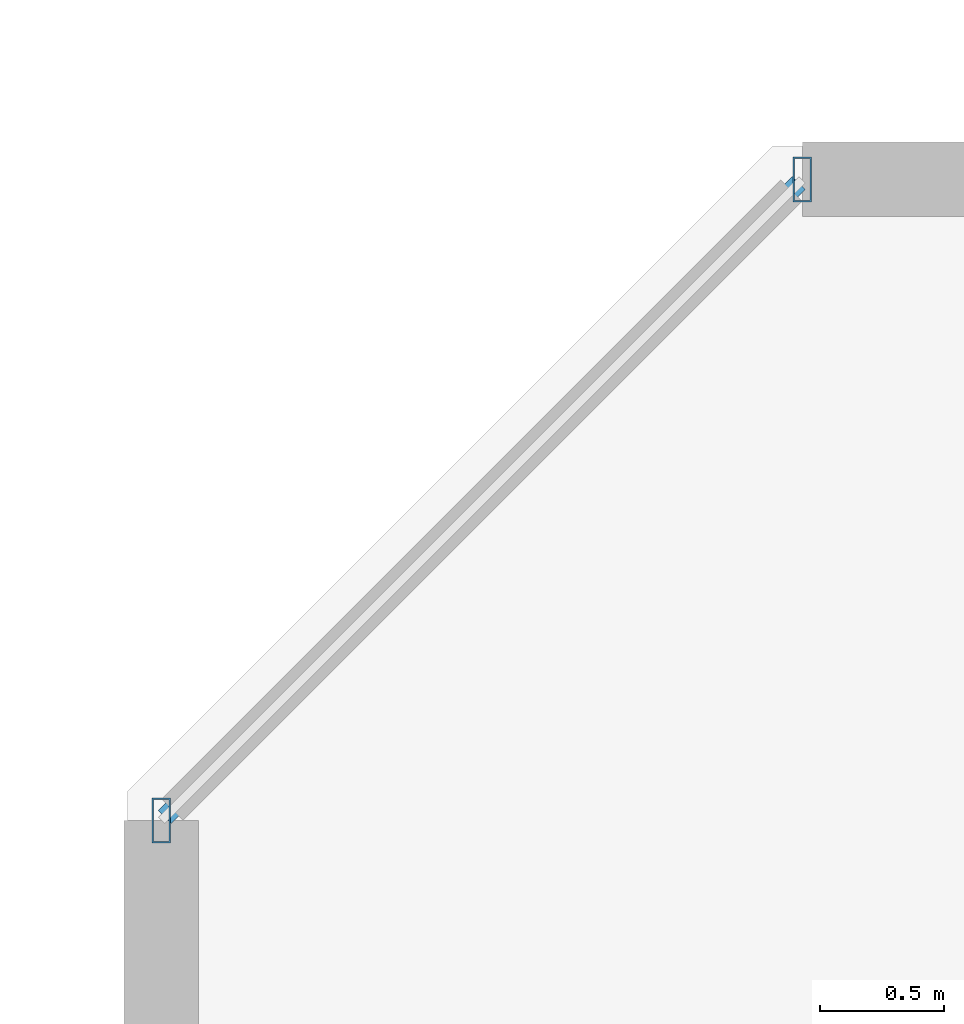
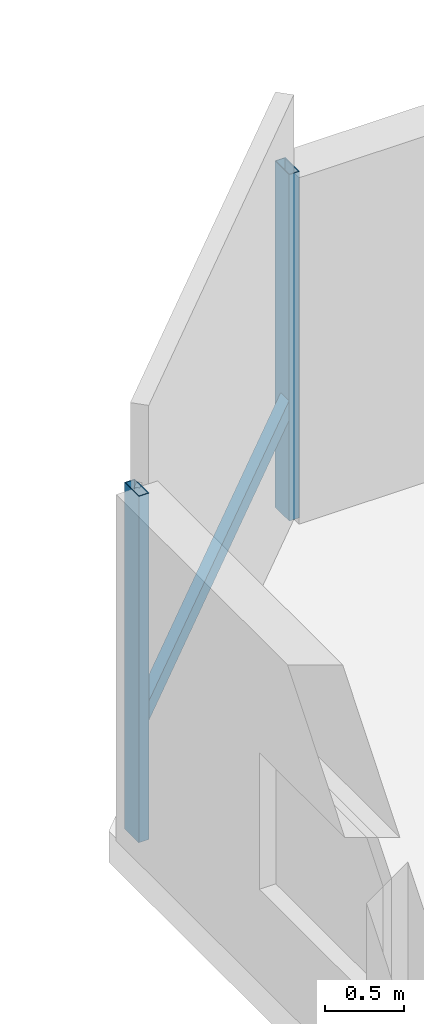
# One storey, part 15 of 33: 3 members, 1 element without a shape of its own.
"""IFC4 building model written with IfcOpenShell, lengths in metres."""

from ifc_helpers import new_model, si_unit, direction, frame, origin, origin_2d, place, context, subcontext, project, spatial, hollow_rectangle, extrude, material, material_profile, profile_set, type_object, element, aggregate, save


model = new_model("IFC4")

# Units and contexts
model_context = context("Model", 3, precision=1e-05, world=origin(), true_north=direction((0.0, 1.0)))
body_context = subcontext(model_context, "Body", "Model", "MODEL_VIEW")
ifc_project = project(units=[si_unit("LENGTHUNIT", "METRE"), si_unit("AREAUNIT", "SQUARE_METRE"), si_unit("VOLUMEUNIT", "CUBIC_METRE"), si_unit("PLANEANGLEUNIT", "RADIAN"), si_unit("MASSUNIT", "GRAM", prefix="KILO")], contexts=[model_context])

# Site, building, storey
site_placement = place(None, origin())
site = spatial("IfcSite", under=ifc_project, at=site_placement, CompositionType="ELEMENT")
building_placement = place(site_placement, origin())
building = spatial("IfcBuilding", under=site, at=building_placement, Name="Thornwick Lancets Civic Towers", CompositionType="ELEMENT")
storey_placement = place(building_placement, frame((0.0, 0.0, 218.10009765625)))
storey = spatial("IfcBuildingStorey", under=building, at=storey_placement, Name="L58", CompositionType="ELEMENT", Elevation=218.10009765625)

# Curtain wall, members
ifc_material_1 = material(Name="High-zone chamfered-corner unitised glass curtain wall", Category="glass")
curtain_wall_type = type_object("IfcCurtainWallType", Name="CW_SYS_05", PredefinedType="NOTDEFINED", material=ifc_material_1)
curtain_wall_placement = place(storey_placement, origin())
curtain_wall = element("IfcCurtainWall", 1, at=curtain_wall_placement, inside=storey, type_object=curtain_wall_type, Name="L58 Curtain Wall CW-L58-B-E5", PredefinedType="NOTDEFINED")
ifc_material_2 = material(Name="Thermally broken bronze aluminium S355", Category="steel")
ifc_material_profile_1 = material_profile(ifc_material_2, hollow_rectangle(XDim=0.074951171875, YDim=0.179931640625, WallThickness=0.006103515625, at=origin_2d()), Name="RHS 180x75x6")
ifc_profile_set_1 = profile_set([ifc_material_profile_1], Name="Thermally broken bronze aluminium S355")
member_type_1 = type_object("IfcMemberType", Name="CW_MUL_180", PredefinedType="MULLION", material=ifc_profile_set_1)
member_1_placement = place(storey_placement, frame((67.318603515625, 44.7646484375, 0.0), z_axis=(0.0, 0.0, 1.0), x_axis=(1.0, 0.0, 0.0)))
member_1 = element("IfcMember", 2, at=member_1_placement, type_object=member_type_1, Name="CW-L58-B-E5 Mullion 0", PredefinedType="MULLION", context=body_context, shape_type="SweptSolid", body=[
    extrude(hollow_rectangle(XDim=0.074951171875, YDim=0.179931640625, WallThickness=0.006103515625, at=origin_2d()), origin(), (0.0, 0.0, 1.0), 2.659912109375),
])
member_2_placement = place(storey_placement, frame((64.7353515625, 42.181396484375, 0.0), z_axis=(0.0, 0.0, 1.0), x_axis=(1.0, 0.0, 0.0)))
member_2 = element("IfcMember", 3, at=member_2_placement, type_object=member_type_1, Name="CW-L58-B-E5 Mullion 1", PredefinedType="MULLION", context=body_context, shape_type="SweptSolid", body=[
    extrude(hollow_rectangle(XDim=0.074951171875, YDim=0.179931640625, WallThickness=0.006103515625, at=origin_2d()), origin(), (0.0, 0.0, 1.0), 2.659912109375),
])
ifc_material_profile_2 = material_profile(ifc_material_2, hollow_rectangle(XDim=0.074951171875, YDim=0.14990234375, WallThickness=0.0048828125, at=origin_2d()), Name="RHS 150x75x5")
ifc_profile_set_2 = profile_set([ifc_material_profile_2], Name="Thermally broken bronze aluminium S355")
member_type_2 = type_object("IfcMemberType", Name="CW_TRN_150", PredefinedType="USERDEFINED", material=ifc_profile_set_2)
member_3_placement = place(storey_placement, frame((67.304443359375, 44.75048828125, 0.849853515625), z_axis=(-0.707106781187, -0.707106781187, 0.0), x_axis=(0.707106781187, -0.707106781187, 0.0)))
member_3 = element("IfcMember", 4, at=member_3_placement, type_object=member_type_2, Name="CW-L58-B-E5 Transom 0", ObjectType="TRANSOM", PredefinedType="USERDEFINED", context=body_context, shape_type="SweptSolid", body=[
    extrude(hollow_rectangle(XDim=0.074951171875, YDim=0.14990234375, WallThickness=0.0048828125, at=origin_2d()), origin(), (0.0, 0.0, 1.0), 3.61328125),
])
aggregate(curtain_wall, [member_1, member_2, member_3])

save(model, "model.ifc")
